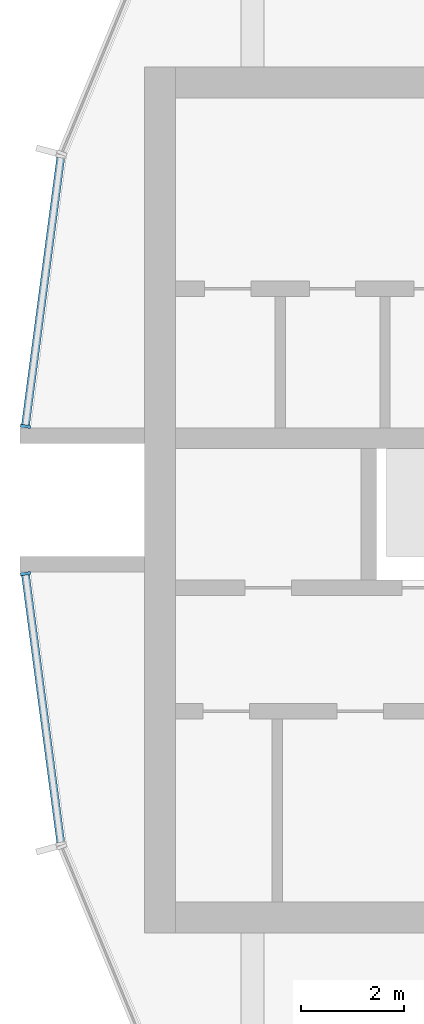
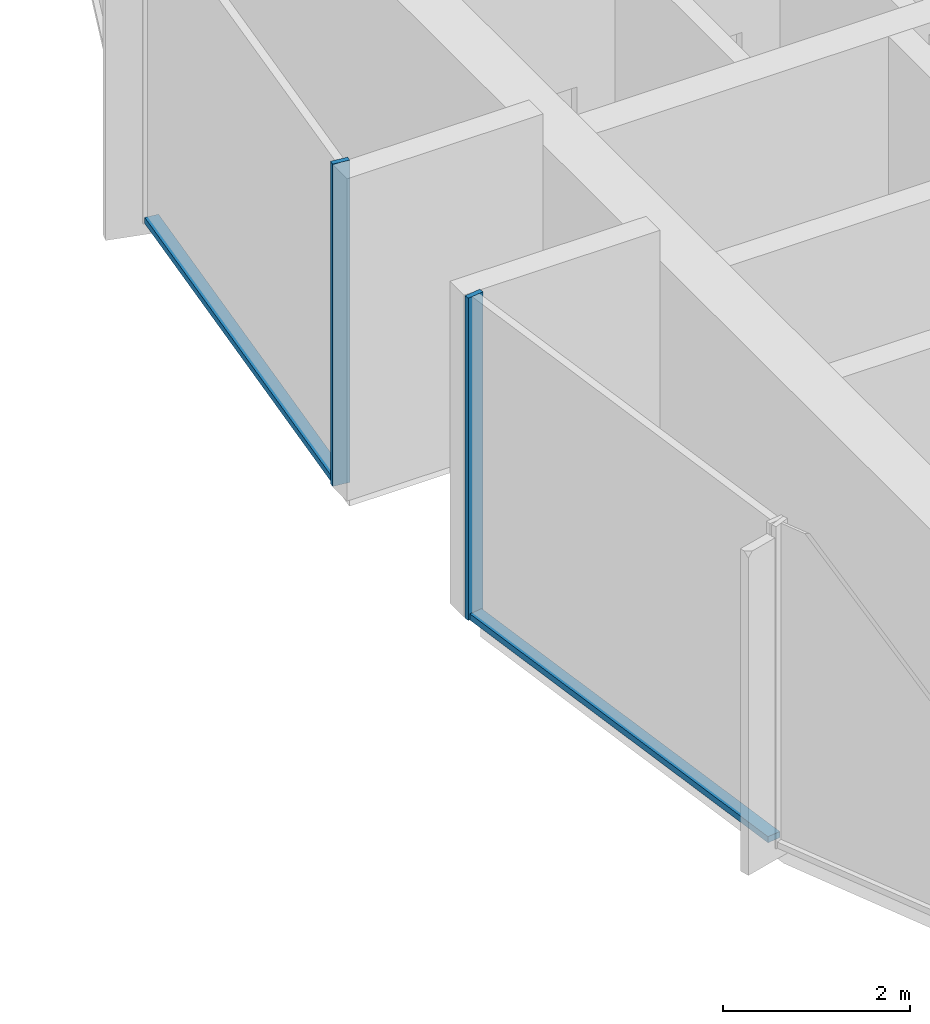
# One storey, part 3 of 15: 4 members, 2 elements without a shape of their own.
"""IFC4 building model written with IfcOpenShell, lengths in metres."""

from ifc_helpers import new_model, si_unit, direction, frame, origin, origin_2d, place, context, subcontext, project, spatial, rectangle, extrude, material, layer, layer_set, material_profile, profile_set, type_object, element, aggregate, save


model = new_model("IFC4")

# Units and contexts
model_context = context("Model", 3, precision=1e-05, world=origin(), true_north=direction((0.0, 1.0)))
body_context = subcontext(model_context, "Body", "Model", "MODEL_VIEW")
ifc_project = project(units=[si_unit("LENGTHUNIT", "METRE"), si_unit("AREAUNIT", "SQUARE_METRE"), si_unit("VOLUMEUNIT", "CUBIC_METRE"), si_unit("PLANEANGLEUNIT", "RADIAN"), si_unit("MASSUNIT", "GRAM", prefix="KILO")], contexts=[model_context])

# Site, building, storey
site_placement = place(None, origin())
site = spatial("IfcSite", under=ifc_project, at=site_placement, CompositionType="ELEMENT")
building_placement = place(site_placement, origin())
building = spatial("IfcBuilding", under=site, at=building_placement, Name="Torre Brocal", CompositionType="ELEMENT")
storey_placement = place(building_placement, frame((0.0, 0.0, 225.10009765625)))
storey = spatial("IfcBuildingStorey", under=building, at=storey_placement, Name="L52", CompositionType="ELEMENT", Elevation=225.10009765625)

# Curtain wall, member
ifc_material_1 = material(Name="Aluminium and glass", Category="aluminium")
ifc_layer = layer(ifc_material_1, 0.199951171875)
ifc_layer_set = layer_set([ifc_layer], Name="Aluminium and glass")
curtain_wall_type = type_object("IfcCurtainWallType", Name="CW-1B CURTAIN WALL 4200 HIGH", PredefinedType="NOTDEFINED", material=ifc_layer_set)
curtain_wall_1_placement = place(storey_placement, origin())
curtain_wall_1 = element("IfcCurtainWall", 1, at=curtain_wall_1_placement, inside=storey, type_object=curtain_wall_type, Name="CW-1B RUN 12", PredefinedType="NOTDEFINED")
ifc_material_2 = material(Name="Aluminium, dark anodised", Category="aluminium")
ifc_material_profile_1 = material_profile(ifc_material_2, rectangle(XDim=0.199951171875, YDim=0.06005859375, at=origin_2d()), Name="CW-1B MULLION 60X200")
ifc_profile_set_1 = profile_set([ifc_material_profile_1], Name="Aluminium, dark anodised")
member_type_1 = type_object("IfcMemberType", Name="CW-1B MULLION 60X200", PredefinedType="MULLION", material=ifc_profile_set_1)
member_1_placement = place(storey_placement, frame((54.2890625, 76.4296875, 0.0), z_axis=(0.0, 0.0, 1.0), x_axis=(0.991444861374, -0.13052619222, 0.0)))
member_1 = element("IfcMember", 2, at=member_1_placement, type_object=member_type_1, Name="CW1B-5 mullion 2", PredefinedType="MULLION", context=body_context, shape_type="SweptSolid", body=[
    extrude(rectangle(XDim=0.199951171875, YDim=0.06005859375, at=origin_2d()), origin(), (0.0, 0.0, 1.0), 4.199951171875),
])

curtain_wall_2_placement = place(storey_placement, origin())
curtain_wall_2 = element("IfcCurtainWall", 3, at=curtain_wall_2_placement, inside=storey, type_object=curtain_wall_type, Name="CW-1B RUN 13", PredefinedType="NOTDEFINED")
member_2_placement = place(storey_placement, frame((54.2890625, 73.5703125, 0.0), z_axis=(0.0, 0.0, 1.0), x_axis=(0.991444861374, 0.13052619222, 0.0)))
member_2 = element("IfcMember", 4, at=member_2_placement, type_object=member_type_1, Name="CW1B-5 mullion 1", PredefinedType="MULLION", context=body_context, shape_type="SweptSolid", body=[
    extrude(rectangle(XDim=0.199951171875, YDim=0.06005859375, at=origin_2d()), origin(), (0.0, 0.0, 1.0), 4.199951171875),
])

# Member
ifc_material_3 = material(Name="Aluminium, dark anodised", Category="aluminium")
ifc_material_profile_2 = material_profile(ifc_material_3, rectangle(XDim=0.159912109375, YDim=0.080078125, at=origin_2d()), Name="CW-1B TRANSOM 160X80")
ifc_profile_set_2 = profile_set([ifc_material_profile_2], Name="Aluminium, dark anodised")
member_type_2 = type_object("IfcMemberType", Name="CW-1B TRANSOM 160X80", PredefinedType="USERDEFINED", material=ifc_profile_set_2)
member_3_placement = place(storey_placement, frame((54.9755859375, 81.643798828125, 0.039794921875), z_axis=(-0.130542677827, -0.991442690863, 0.0), x_axis=(0.991442690863, -0.130542677827, 0.0)))
member_3 = element("IfcMember", 5, at=member_3_placement, type_object=member_type_2, Name="CW1B-5 transom 1.1", ObjectType="TRANSOM", PredefinedType="USERDEFINED", context=body_context, shape_type="SweptSolid", body=[
    extrude(rectangle(XDim=0.159912109375, YDim=0.080078125, at=origin_2d()), origin(), (0.0, 0.0, 1.0), 5.22900390625),
])

aggregate(curtain_wall_1, [member_1, member_3])

member_4_placement = place(storey_placement, frame((54.29296875, 73.54052734375, 0.039794921875), z_axis=(0.130542677827, -0.991442690863, 0.0), x_axis=(0.991442690863, 0.130542677827, 0.0)))
member_4 = element("IfcMember", 6, at=member_4_placement, type_object=member_type_2, Name="CW1B-5 transom 1.1", ObjectType="TRANSOM", PredefinedType="USERDEFINED", context=body_context, shape_type="SweptSolid", body=[
    extrude(rectangle(XDim=0.159912109375, YDim=0.080078125, at=origin_2d()), origin(), (0.0, 0.0, 1.0), 5.22900390625),
])

aggregate(curtain_wall_2, [member_2, member_4])

save(model, "model.ifc")
